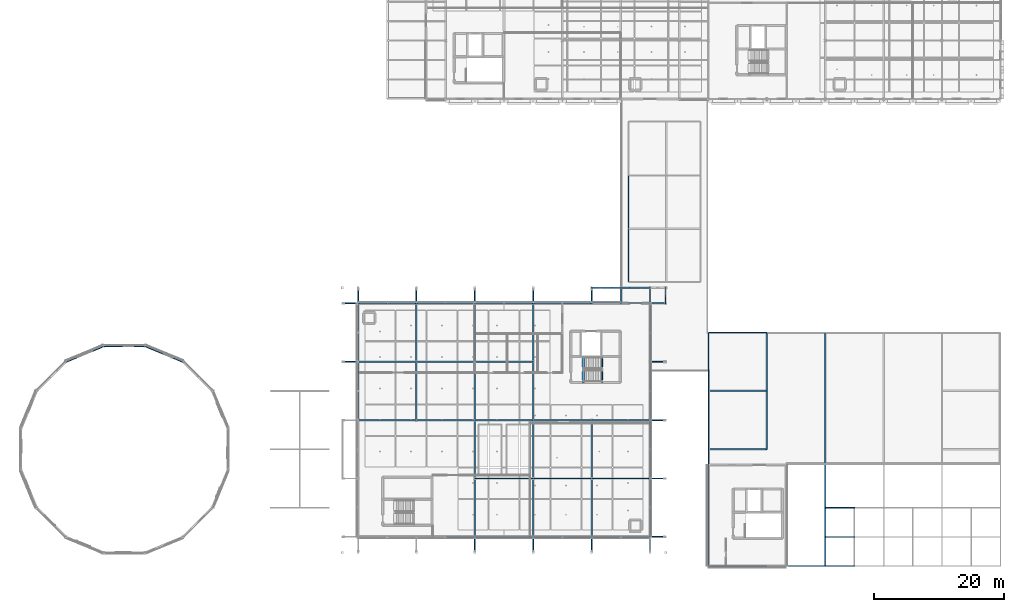
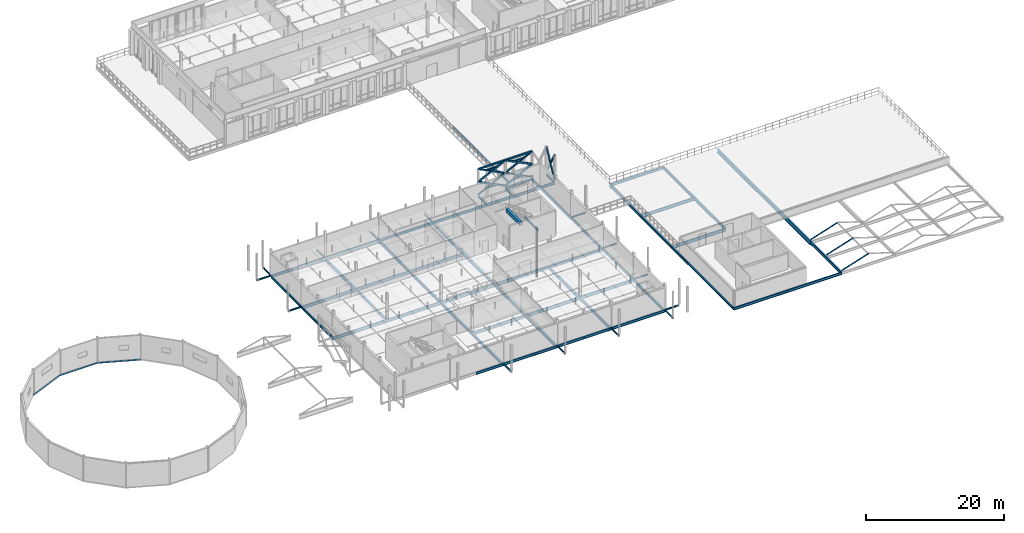
# One storey, part 20 of 89: 91 beams, 21 members.
"""IFC4 building model written with IfcOpenShell, lengths in metres."""

from ifc_helpers import new_model, si_unit, direction, frame, origin, origin_2d, place, context, subcontext, project, spatial, rectangle, hollow_rectangle, i_section, extrude, material, material_profile, profile_set, type_object, element, save


model = new_model("IFC4")

# Units and contexts
model_context = context("Model", 3, precision=1e-05, world=origin(), true_north=direction((0.0, 1.0)))
body_context = subcontext(model_context, "Body", "Model", "MODEL_VIEW")
ifc_project = project(units=[si_unit("LENGTHUNIT", "METRE"), si_unit("AREAUNIT", "SQUARE_METRE"), si_unit("VOLUMEUNIT", "CUBIC_METRE"), si_unit("PLANEANGLEUNIT", "RADIAN"), si_unit("MASSUNIT", "GRAM", prefix="KILO"), si_unit("THERMODYNAMICTEMPERATUREUNIT", "KELVIN"), si_unit("POWERUNIT", "WATT")], contexts=[model_context])

# Site, building, storey
site_placement = place(None, origin())
site = spatial("IfcSite", under=ifc_project, at=site_placement, CompositionType="ELEMENT")
building_placement = place(site_placement, origin())
building = spatial("IfcBuilding", under=site, at=building_placement, Name="Tallowbark Science Centre", CompositionType="ELEMENT")
storey_placement = place(building_placement, frame((0.0, 0.0, 14.39990234375)))
storey = spatial("IfcBuildingStorey", under=building, at=storey_placement, Name="L03", CompositionType="ELEMENT", Elevation=14.39990234375)

# Beams
ifc_material_1 = material(Name="Concrete Grade N40 (40 MPa)", Category="concrete")
ifc_material_profile_1 = material_profile(ifc_material_1, rectangle(XDim=0.449951171875, YDim=0.64990234375, at=origin_2d()), Name="RC450x650")
ifc_profile_set_1 = profile_set([ifc_material_profile_1], Name="Concrete Grade N40 (40 MPa)")
beam_type_1 = type_object("IfcBeamType", Name="BM-GB2-N40", PredefinedType="BEAM", material=ifc_profile_set_1)
beam_1_placement = place(storey_placement, frame((93.2099609375, 28.300048828125, 4.175048828125), z_axis=(0.0, 1.0, 0.0), x_axis=(-1.0, 0.0, 0.0)))
element("IfcBeam", 1, at=beam_1_placement, inside=storey, type_object=beam_type_1, Name="Stair ST-03 Landing Nosing Beam L03", PredefinedType="BEAM", context=body_context, shape_type="SweptSolid", body=[
    extrude(rectangle(XDim=0.449951171875, YDim=0.64990234375, at=origin_2d()), origin(), (0.0, 0.0, 1.0), 3.994873046875),
])
ifc_material_2 = material(Name="White Architectural Painted Steel Grade C350L0 (350 MPa)", Category="steel")
ifc_material_profile_2 = material_profile(ifc_material_2, i_section(OverallWidth=0.146484375, OverallDepth=0.256103515625, WebThickness=0.00634765625, FlangeThickness=0.010986328125, FilletRadius=0.0087890625, at=origin_2d()), Name="250UB37.3")
ifc_profile_set_2 = profile_set([ifc_material_profile_2], Name="White Architectural Painted Steel Grade C350L0 (350 MPa)")
beam_type_2 = type_object("IfcBeamType", Name="BM-OUT250", PredefinedType="BEAM", material=ifc_profile_set_2)
for number, where, z_axis, x_axis, name in (
    (2, (58.5, 40.5, -0.25), (0.0, 1.0, 0.0), (-1.0, 0.0, 0.0), "Star Screen Outrigger Tie Beam N-38"),
    (3, (67.5, 40.5, -0.25), (0.0, 1.0, 0.0), (-1.0, 0.0, 0.0), "Star Screen Outrigger Tie Beam N-40"),
    (4, (76.5, 4.5, -0.25), (0.0, -1.0, 0.0), (1.0, 0.0, 0.0), "Star Screen Outrigger Tie Beam S-41"),
    (5, (76.5, 40.5, -0.25), (0.0, 1.0, 0.0), (-1.0, 0.0, 0.0), "Star Screen Outrigger Tie Beam N-42"),
    (6, (85.5, 4.5, -0.25), (0.0, -1.0, 0.0), (1.0, 0.0, 0.0), "Star Screen Outrigger Tie Beam S-43"),
    (7, (85.5, 40.5, -0.25), (0.0, 1.0, 0.0), (-1.0, 0.0, 0.0), "Star Screen Outrigger Tie Beam N-44"),
    (8, (94.5, 4.5, -0.25), (0.0, -1.0, 0.0), (1.0, 0.0, 0.0), "Star Screen Outrigger Tie Beam S-45"),
    (9, (94.5, 40.5, -0.25), (0.0, 1.0, 0.0), (-1.0, 0.0, 0.0), "Star Screen Outrigger Tie Beam N-46"),
    (10, (103.5, 4.5, -0.25), (0.0, -1.0, 0.0), (1.0, 0.0, 0.0), "Star Screen Outrigger Tie Beam S-47"),
    (11, (103.5, 4.5, -0.25), (1.0, 0.0, 0.0), (0.0, 1.0, 0.0), "Star Screen Outrigger Tie Beam E-49"),
    (12, (103.5, 13.5, -0.25), (1.0, 0.0, 0.0), (0.0, 1.0, 0.0), "Star Screen Outrigger Tie Beam E-51"),
    (13, (103.5, 22.5, -0.25), (1.0, 0.0, 0.0), (0.0, 1.0, 0.0), "Star Screen Outrigger Tie Beam E-53"),
    (14, (58.5, 31.5, -0.25), (-1.0, 0.0, 0.0), (0.0, -1.0, 0.0), "Star Screen Outrigger Tie Beam W-54"),
    (15, (103.5, 31.5, -0.25), (1.0, 0.0, 0.0), (0.0, 1.0, 0.0), "Star Screen Outrigger Tie Beam E-55"),
    (16, (58.5, 40.5, -0.25), (-1.0, 0.0, 0.0), (0.0, -1.0, 0.0), "Star Screen Outrigger Tie Beam W-56"),
):
    element("IfcBeam", number, at=place(storey_placement, frame(where, z_axis=z_axis, x_axis=x_axis)), inside=storey, type_object=beam_type_2, Name=name, PredefinedType="BEAM", context=body_context, shape_type="SweptSolid", body=[
        extrude(i_section(OverallWidth=0.146484375, OverallDepth=0.256103515625, WebThickness=0.00634765625, FlangeThickness=0.010986328125, FilletRadius=0.0087890625, at=origin_2d()), origin(), (0.0, 0.0, 1.0), 2.39990234375),
    ])
ifc_material_3 = material(Name="Structural Steel Grade 300PLUS (300 MPa)", Category="steel")
ifc_material_profile_3 = material_profile(ifc_material_3, i_section(OverallWidth=0.177734375, OverallDepth=0.406494140625, WebThickness=0.0078125, FlangeThickness=0.0126953125, FilletRadius=0.011474609375, at=origin_2d()), Name="410UB59.7")
ifc_profile_set_3 = profile_set([ifc_material_profile_3], Name="Structural Steel Grade 300PLUS (300 MPa)")
beam_type_3 = type_object("IfcBeamType", Name="BM-UB410", PredefinedType="BEAM", material=ifc_profile_set_3)
beam_2_placement = place(storey_placement, frame((99.0, 42.89990234375, -0.447998046875), z_axis=(1.0, 0.0, 0.0), x_axis=(0.0, 1.0, 0.0)))
element("IfcBeam", 17, at=beam_2_placement, inside=storey, type_object=beam_type_3, Name="Primary Girder GRDX-L03-990-1035-429", PredefinedType="BEAM", context=body_context, shape_type="SweptSolid", body=[
    extrude(i_section(OverallWidth=0.177734375, OverallDepth=0.406494140625, WebThickness=0.0078125, FlangeThickness=0.0126953125, FilletRadius=0.011474609375, at=origin_2d()), origin(), (0.0, 0.0, 1.0), 4.5),
])
beam_3_placement = place(storey_placement, frame((99.0, 40.5, -0.447998046875), z_axis=(0.0, 1.0, 0.0), x_axis=(-1.0, 0.0, 0.0)))
element("IfcBeam", 18, at=beam_3_placement, inside=storey, type_object=beam_type_3, Name="Primary Girder GRDY-L03-990-405-429", PredefinedType="BEAM", context=body_context, shape_type="SweptSolid", body=[
    extrude(i_section(OverallWidth=0.177734375, OverallDepth=0.406494140625, WebThickness=0.0078125, FlangeThickness=0.0126953125, FilletRadius=0.011474609375, at=origin_2d()), origin(), (0.0, 0.0, 1.0), 2.39990234375),
])
for number, where, z_axis, x_axis, name in (
    (19, (100.199951171875, 43.800048828125, -0.447998046875), (0.0, 1.0, 0.0), (-1.0, 0.0, 0.0), "Primary Girder GRDY-L03-1002-438-520"),
    (20, (100.199951171875, 52.0, -0.447998046875), (0.0, 1.0, 0.0), (-1.0, 0.0, 0.0), "Primary Girder GRDY-L03-1002-520-602"),
):
    element("IfcBeam", number, at=place(storey_placement, frame(where, z_axis=z_axis, x_axis=x_axis)), inside=storey, type_object=beam_type_3, Name=name, PredefinedType="BEAM", context=body_context, shape_type="SweptSolid", body=[
        extrude(i_section(OverallWidth=0.177734375, OverallDepth=0.406494140625, WebThickness=0.0078125, FlangeThickness=0.0126953125, FilletRadius=0.011474609375, at=origin_2d()), origin(), (0.0, 0.0, 1.0), 8.199951171875),
    ])
beam_4_placement = place(storey_placement, frame((105.89990234375, 40.5, -0.447998046875), z_axis=(0.0, 1.0, 0.0), x_axis=(-1.0, 0.0, 0.0)))
element("IfcBeam", 21, at=beam_4_placement, inside=storey, type_object=beam_type_3, Name="Primary Girder GRDY-L03-1059-405-429", PredefinedType="BEAM", context=body_context, shape_type="SweptSolid", body=[
    extrude(i_section(OverallWidth=0.177734375, OverallDepth=0.406494140625, WebThickness=0.0078125, FlangeThickness=0.0126953125, FilletRadius=0.011474609375, at=origin_2d()), origin(), (0.0, 0.0, 1.0), 2.39990234375),
])
ifc_material_profile_4 = material_profile(ifc_material_3, i_section(OverallWidth=0.208984375, OverallDepth=0.532958984375, WebThickness=0.01025390625, FlangeThickness=0.015625, FilletRadius=0.013916015625, at=origin_2d()), Name="530UB92.4")
ifc_profile_set_4 = profile_set([ifc_material_profile_4], Name="Structural Steel Grade 300PLUS (300 MPa)")
beam_type_4 = type_object("IfcBeamType", Name="BM-UB530A", PredefinedType="BEAM", material=ifc_profile_set_4)
for number, where, z_axis, x_axis, name in (
    (22, (76.5, 13.5, -0.4462890625), (1.0, 0.0, 0.0), (0.0, 1.0, 0.0), "Primary Girder GRDX-L03-765-855-135"),
    (23, (85.5, 13.5, -0.4462890625), (1.0, 0.0, 0.0), (0.0, 1.0, 0.0), "Primary Girder GRDX-L03-855-945-135"),
    (24, (94.5, 13.5, -0.4462890625), (1.0, 0.0, 0.0), (0.0, 1.0, 0.0), "Primary Girder GRDX-L03-945-1035-135"),
    (25, (112.5, 18.0, -0.511474609375), (1.0, 0.0, 0.0), (0.0, 1.0, 0.0), "Primary Girder GRDX-L03-1125-1215-180"),
    (26, (58.5, 22.5, -0.4462890625), (1.0, 0.0, 0.0), (0.0, 1.0, 0.0), "Primary Girder GRDX-L03-585-675-225"),
    (27, (67.5, 22.5, -0.4462890625), (1.0, 0.0, 0.0), (0.0, 1.0, 0.0), "Primary Girder GRDX-L03-675-765-225"),
    (28, (76.5, 22.5, -0.4462890625), (1.0, 0.0, 0.0), (0.0, 1.0, 0.0), "Primary Girder GRDX-L03-765-855-225"),
    (29, (85.5, 22.5, -0.4462890625), (1.0, 0.0, 0.0), (0.0, 1.0, 0.0), "Primary Girder GRDX-L03-855-945-225"),
    (30, (94.5, 22.5, -0.4462890625), (1.0, 0.0, 0.0), (0.0, 1.0, 0.0), "Primary Girder GRDX-L03-945-1035-225"),
    (31, (112.5, 27.0, -0.511474609375), (1.0, 0.0, 0.0), (0.0, 1.0, 0.0), "Primary Girder GRDX-L03-1125-1215-270"),
    (32, (58.5, 31.5, -0.4462890625), (1.0, 0.0, 0.0), (0.0, 1.0, 0.0), "Primary Girder GRDX-L03-585-675-315"),
    (33, (67.5, 31.5, -0.4462890625), (1.0, 0.0, 0.0), (0.0, 1.0, 0.0), "Primary Girder GRDX-L03-675-765-315"),
    (34, (76.5, 31.5, -0.4462890625), (1.0, 0.0, 0.0), (0.0, 1.0, 0.0), "Primary Girder GRDX-L03-765-855-315"),
):
    element("IfcBeam", number, at=place(storey_placement, frame(where, z_axis=z_axis, x_axis=x_axis)), inside=storey, type_object=beam_type_4, Name=name, PredefinedType="BEAM", context=body_context, shape_type="SweptSolid", body=[
        extrude(i_section(OverallWidth=0.208984375, OverallDepth=0.532958984375, WebThickness=0.01025390625, FlangeThickness=0.015625, FilletRadius=0.013916015625, at=origin_2d()), origin(), (0.0, 0.0, 1.0), 9.0),
    ])
ifc_material_profile_5 = material_profile(ifc_material_3, i_section(OverallWidth=0.208740234375, OverallDepth=0.5283203125, WebThickness=0.009521484375, FlangeThickness=0.01318359375, FilletRadius=0.013916015625, at=origin_2d()), Name="530UB82.0")
ifc_profile_set_5 = profile_set([ifc_material_profile_5], Name="Structural Steel Grade 300PLUS (300 MPa)")
beam_type_5 = type_object("IfcBeamType", Name="BM-UB530B", PredefinedType="BEAM", material=ifc_profile_set_5)
for number, where, z_axis, x_axis, name in (
    (35, (67.5, 22.5, -0.444091796875), (0.0, 1.0, 0.0), (-1.0, 0.0, 0.0), "Primary Girder GRDY-L03-675-225-315"),
    (36, (67.5, 31.5, -0.444091796875), (0.0, 1.0, 0.0), (-1.0, 0.0, 0.0), "Primary Girder GRDY-L03-675-315-405"),
    (37, (76.5, 4.5, -0.444091796875), (0.0, 1.0, 0.0), (-1.0, 0.0, 0.0), "Primary Girder GRDY-L03-765-45-135"),
    (38, (76.5, 13.5, -0.444091796875), (0.0, 1.0, 0.0), (-1.0, 0.0, 0.0), "Primary Girder GRDY-L03-765-135-225"),
    (39, (76.5, 22.5, -0.444091796875), (0.0, 1.0, 0.0), (-1.0, 0.0, 0.0), "Primary Girder GRDY-L03-765-225-315"),
    (40, (76.5, 31.5, -0.444091796875), (0.0, 1.0, 0.0), (-1.0, 0.0, 0.0), "Primary Girder GRDY-L03-765-315-405"),
    (41, (85.5, 4.5, -0.444091796875), (0.0, 1.0, 0.0), (-1.0, 0.0, 0.0), "Primary Girder GRDY-L03-855-45-135"),
    (42, (85.5, 13.5, -0.444091796875), (0.0, 1.0, 0.0), (-1.0, 0.0, 0.0), "Primary Girder GRDY-L03-855-135-225"),
    (43, (85.5, 22.5, -0.444091796875), (0.0, 1.0, 0.0), (-1.0, 0.0, 0.0), "Primary Girder GRDY-L03-855-225-315"),
    (44, (85.5, 31.5, -0.444091796875), (0.0, 1.0, 0.0), (-1.0, 0.0, 0.0), "Primary Girder GRDY-L03-855-315-405"),
    (45, (94.5, 4.5, -0.444091796875), (0.0, 1.0, 0.0), (-1.0, 0.0, 0.0), "Primary Girder GRDY-L03-945-45-135"),
    (46, (94.5, 13.5, -0.444091796875), (0.0, 1.0, 0.0), (-1.0, 0.0, 0.0), "Primary Girder GRDY-L03-945-135-225"),
    (47, (121.5, 18.0, -0.509033203125), (0.0, 1.0, 0.0), (-1.0, 0.0, 0.0), "Primary Girder GRDY-L03-1215-180-270"),
    (48, (121.5, 27.0, -0.509033203125), (0.0, 1.0, 0.0), (-1.0, 0.0, 0.0), "Primary Girder GRDY-L03-1215-270-360"),
    (49, (130.5, 0.0, -0.509033203125), (0.0, 1.0, 0.0), (-1.0, 0.0, 0.0), "Primary Girder GRDY-L03-1305-0-90"),
):
    element("IfcBeam", number, at=place(storey_placement, frame(where, z_axis=z_axis, x_axis=x_axis)), inside=storey, type_object=beam_type_5, Name=name, PredefinedType="BEAM", context=body_context, shape_type="SweptSolid", body=[
        extrude(i_section(OverallWidth=0.208740234375, OverallDepth=0.5283203125, WebThickness=0.009521484375, FlangeThickness=0.01318359375, FilletRadius=0.013916015625, at=origin_2d()), origin(), (0.0, 0.0, 1.0), 9.0),
    ])
ifc_material_profile_6 = material_profile(ifc_material_3, i_section(OverallWidth=0.25, OverallDepth=0.699951171875, WebThickness=0.010009765625, FlangeThickness=0.02001953125, FilletRadius=0.013916015625, at=origin_2d()), Name="700WB130")
ifc_profile_set_6 = profile_set([ifc_material_profile_6], Name="Structural Steel Grade 300PLUS (300 MPa)")
beam_type_6 = type_object("IfcBeamType", Name="BM-WB700", PredefinedType="BEAM", material=ifc_profile_set_6)
beam_5_placement = place(storey_placement, frame((130.5, 9.0, -0.594970703125), z_axis=(0.0, 1.0, 0.0), x_axis=(-1.0, 0.0, 0.0)))
element("IfcBeam", 50, at=beam_5_placement, inside=storey, type_object=beam_type_6, Name="Primary Girder GRDY-L03-1305-90-360", PredefinedType="BEAM", context=body_context, shape_type="SweptSolid", body=[
    extrude(i_section(OverallWidth=0.25, OverallDepth=0.699951171875, WebThickness=0.010009765625, FlangeThickness=0.02001953125, FilletRadius=0.013916015625, at=origin_2d()), origin(), (0.0, 0.0, 1.0), 27.0),
])
ifc_material_profile_7 = material_profile(ifc_material_3, i_section(OverallWidth=0.146484375, OverallDepth=0.256103515625, WebThickness=0.00634765625, FlangeThickness=0.010986328125, FilletRadius=0.0087890625, at=origin_2d()), Name="250UB37.3")
ifc_profile_set_7 = profile_set([ifc_material_profile_7], Name="Structural Steel Grade 300PLUS (300 MPa)")
beam_type_7 = type_object("IfcBeamType", Name="JST-UB250", PredefinedType="JOIST", material=ifc_profile_set_7)
beam_6_placement = place(storey_placement, frame((96.125, 28.300048828125, 1.922119140625), z_axis=(0.0, 1.0, 0.0), x_axis=(-1.0, 0.0, 0.0)))
element("IfcBeam", 51, at=beam_6_placement, inside=storey, type_object=beam_type_7, Name="Stair ST-03 Half-Landing Trimmer L03", PredefinedType="JOIST", context=body_context, shape_type="SweptSolid", body=[
    extrude(i_section(OverallWidth=0.146484375, OverallDepth=0.256103515625, WebThickness=0.00634765625, FlangeThickness=0.010986328125, FilletRadius=0.0087890625, at=origin_2d()), origin(), (0.0, 0.0, 1.0), 3.994873046875),
])

# Members
ifc_material_4 = material(Name="Structural Steel Grade C350L0 (350 MPa)", Category="steel")
ifc_material_profile_8 = material_profile(ifc_material_4, hollow_rectangle(XDim=0.10009765625, YDim=0.199951171875, WallThickness=0.006103515625, at=origin_2d()), Name="200x100x6.0RHS")
ifc_profile_set_8 = profile_set([ifc_material_profile_8], Name="Structural Steel Grade C350L0 (350 MPa)")
member_type_1 = type_object("IfcMemberType", Name="RFT-200RHS", PredefinedType="RAFTER", material=ifc_profile_set_8)
for number, where, z_axis, x_axis, name in (
    (52, (130.5, 0.0, 0.0), (0.951796183957, 0.0, 0.306731192096), (0.0, 1.0, 0.0), "Theatre Shell Folded Rafter W 1-0"),
    (53, (130.5, 4.5, 0.0), (0.951796183957, 0.0, 0.306731192096), (0.0, 1.0, 0.0), "Theatre Shell Folded Rafter W 1-4.5"),
    (54, (130.5, 9.0, 0.0), (0.951796183957, 0.0, 0.306731192096), (0.0, 1.0, 0.0), "Theatre Shell Folded Rafter W 1-9"),
):
    element("IfcMember", number, at=place(storey_placement, frame(where, z_axis=z_axis, x_axis=x_axis)), inside=storey, type_object=member_type_1, Name=name, PredefinedType="RAFTER", context=body_context, shape_type="SweptSolid", body=[
        extrude(hollow_rectangle(XDim=0.10009765625, YDim=0.199951171875, WallThickness=0.006103515625, at=origin_2d()), origin(), (0.0, 0.0, 1.0), 4.727783203125),
    ])
ifc_material_profile_9 = material_profile(ifc_material_2, hollow_rectangle(XDim=0.25, YDim=0.25, WallThickness=0.009033203125, at=origin_2d()), Name="250x250x9.0SHS")
ifc_profile_set_9 = profile_set([ifc_material_profile_9], Name="White Architectural Painted Steel Grade C350L0 (350 MPa)")
member_type_2 = type_object("IfcMemberType", Name="SCR-CHD200", PredefinedType="CHORD", material=ifc_profile_set_9)
member_1_placement = place(storey_placement, frame((94.5, 42.89990234375, 4.5), z_axis=(1.0, 0.0, 0.0), x_axis=(0.0, 1.0, 0.0)))
element("IfcMember", 55, at=member_1_placement, inside=storey, type_object=member_type_2, Name="Star Screen Frame Chord N-27", PredefinedType="CHORD", context=body_context, shape_type="SweptSolid", body=[
    extrude(hollow_rectangle(XDim=0.25, YDim=0.25, WallThickness=0.009033203125, at=origin_2d()), origin(), (0.0, 0.0, 1.0), 9.0),
])
for number, where, z_axis, x_axis, name in (
    (56, (99.0, 42.89990234375, 0.0), (0.894427191, 0.0, 0.4472135955), (0.0, 1.0, 0.0), "Star Screen Octagram Diamond Chord N-27-1"),
    (57, (103.5, 42.89990234375, 2.25), (-0.894427191, 0.0, 0.4472135955), (0.0, -1.0, 0.0), "Star Screen Octagram Diamond Chord N-27-2"),
    (58, (99.0, 42.89990234375, 4.5), (-0.894427191, 0.0, -0.4472135955), (0.0, -1.0, 0.0), "Star Screen Octagram Diamond Chord N-27-3"),
    (59, (94.5, 42.89990234375, 2.25), (0.894427191, 0.0, -0.4472135955), (0.0, 1.0, 0.0), "Star Screen Octagram Diamond Chord N-27-4"),
):
    element("IfcMember", number, at=place(storey_placement, frame(where, z_axis=z_axis, x_axis=x_axis)), inside=storey, type_object=member_type_2, Name=name, PredefinedType="CHORD", context=body_context, shape_type="SweptSolid", body=[
        extrude(hollow_rectangle(XDim=0.25, YDim=0.25, WallThickness=0.009033203125, at=origin_2d()), origin(), (0.0, 0.0, 1.0), 5.03125),
    ])
ifc_material_profile_10 = material_profile(ifc_material_2, hollow_rectangle(XDim=0.199951171875, YDim=0.199951171875, WallThickness=0.009033203125, at=origin_2d()), Name="200x200x9.0SHS")
ifc_profile_set_10 = profile_set([ifc_material_profile_10], Name="White Architectural Painted Steel Grade C350L0 (350 MPa)")
member_type_3 = type_object("IfcMemberType", Name="SCR-STAR139", PredefinedType="BRACE", material=ifc_profile_set_10)
member_2_placement = place(storey_placement, frame((94.5, 42.89990234375, 0.0), z_axis=(0.894427191, 0.0, 0.4472135955), x_axis=(0.0, 1.0, 0.0)))
element("IfcMember", 60, at=member_2_placement, inside=storey, type_object=member_type_3, Name="Star Screen Continuous X-Diagonal D1A N-27", PredefinedType="BRACE", context=body_context, shape_type="SweptSolid", body=[
    extrude(hollow_rectangle(XDim=0.199951171875, YDim=0.199951171875, WallThickness=0.009033203125, at=origin_2d()), origin(), (0.0, 0.0, 1.0), 2.515625),
])
member_3_placement = place(storey_placement, frame((96.75, 42.89990234375, 1.125), z_axis=(0.894427191, 0.0, 0.4472135955), x_axis=(0.0, 1.0, 0.0)))
element("IfcMember", 61, at=member_3_placement, inside=storey, type_object=member_type_3, Name="Star Screen Continuous X-Diagonal D1M N-27", PredefinedType="BRACE", context=body_context, shape_type="SweptSolid", body=[
    extrude(hollow_rectangle(XDim=0.199951171875, YDim=0.199951171875, WallThickness=0.009033203125, at=origin_2d()), origin(), (0.0, 0.0, 1.0), 5.03125),
])
for number, where, z_axis, x_axis, name in (
    (62, (101.25, 42.89990234375, 3.375), (0.894427191, 0.0, 0.4472135955), (0.0, 1.0, 0.0), "Star Screen Continuous X-Diagonal D1B N-27"),
    (63, (94.5, 42.89990234375, 4.5), (0.894427191, 0.0, -0.4472135955), (0.0, 1.0, 0.0), "Star Screen Split X-Diagonal D2A N-27"),
    (64, (96.75, 42.89990234375, 3.375), (0.894427191, 0.0, -0.4472135955), (0.0, 1.0, 0.0), "Star Screen Split X-Diagonal D2B N-27"),
    (65, (99.0, 42.89990234375, 2.25), (0.894427191, 0.0, -0.4472135955), (0.0, 1.0, 0.0), "Star Screen Split X-Diagonal D2C N-27"),
    (66, (101.25, 42.89990234375, 1.125), (0.894427191, 0.0, -0.4472135955), (0.0, 1.0, 0.0), "Star Screen Split X-Diagonal D2D N-27"),
):
    element("IfcMember", number, at=place(storey_placement, frame(where, z_axis=z_axis, x_axis=x_axis)), inside=storey, type_object=member_type_3, Name=name, PredefinedType="BRACE", context=body_context, shape_type="SweptSolid", body=[
        extrude(hollow_rectangle(XDim=0.199951171875, YDim=0.199951171875, WallThickness=0.009033203125, at=origin_2d()), origin(), (0.0, 0.0, 1.0), 2.515625),
    ])
member_4_placement = place(storey_placement, frame((105.89990234375, 40.5, 0.0), z_axis=(0.0, 0.470573327259, 0.882360891967), x_axis=(-1.0, 0.0, 0.0)))
element("IfcMember", 67, at=member_4_placement, inside=storey, type_object=member_type_3, Name="Star Screen Corner Continuous Diagonal NEY-L03", PredefinedType="BRACE", context=body_context, shape_type="SweptSolid", body=[
    extrude(hollow_rectangle(XDim=0.199951171875, YDim=0.199951171875, WallThickness=0.009033203125, at=origin_2d()), origin(), (0.0, 0.0, 1.0), 5.099853515625),
])
member_5_placement = place(storey_placement, frame((105.89990234375, 41.699951171875, 2.25), z_axis=(0.0, -0.470573327259, 0.882360891967), x_axis=(1.0, 0.0, 0.0)))
element("IfcMember", 68, at=member_5_placement, inside=storey, type_object=member_type_3, Name="Star Screen Corner Split Diagonal B NEY-L03", PredefinedType="BRACE", context=body_context, shape_type="SweptSolid", body=[
    extrude(hollow_rectangle(XDim=0.199951171875, YDim=0.199951171875, WallThickness=0.009033203125, at=origin_2d()), origin(), (0.0, 0.0, 1.0), 2.550048828125),
])
ifc_material_profile_11 = material_profile(ifc_material_2, hollow_rectangle(XDim=0.199951171875, YDim=0.199951171875, WallThickness=0.009033203125, at=origin_2d()), Name="200x200x9.0SHS")
ifc_profile_set_11 = profile_set([ifc_material_profile_11], Name="White Architectural Painted Steel Grade C350L0 (350 MPa)")
member_type_4 = type_object("IfcMemberType", Name="SCR-SUB150", PredefinedType="BRACE", material=ifc_profile_set_11)
for number, where, z_axis, x_axis, name in (
    (69, (95.85009765625, 42.89990234375, 0.675048828125), (1.0, 0.0, 0.0), (0.0, 1.0, 0.0), "Star Screen Octagram Point Ray N-27-1"),
    (70, (102.14990234375, 42.89990234375, 0.675048828125), (-1.0, 0.0, 0.0), (0.0, -1.0, 0.0), "Star Screen Octagram Point Ray N-27-3"),
    (71, (102.14990234375, 42.89990234375, 3.8251953125), (-1.0, 0.0, 0.0), (0.0, -1.0, 0.0), "Star Screen Octagram Point Ray N-27-5"),
    (72, (95.85009765625, 42.89990234375, 3.8251953125), (1.0, 0.0, 0.0), (0.0, 1.0, 0.0), "Star Screen Octagram Point Ray N-27-7"),
):
    element("IfcMember", number, at=place(storey_placement, frame(where, z_axis=z_axis, x_axis=x_axis)), inside=storey, type_object=member_type_4, Name=name, PredefinedType="BRACE", context=body_context, shape_type="SweptSolid", body=[
        extrude(hollow_rectangle(XDim=0.199951171875, YDim=0.199951171875, WallThickness=0.009033203125, at=origin_2d()), origin(), (0.0, 0.0, 1.0), 1.7998046875),
    ])

# Beams
ifc_material_profile_12 = material_profile(ifc_material_2, hollow_rectangle(XDim=0.14990234375, YDim=0.25, WallThickness=0.009033203125, at=origin_2d()), Name="250x150x9.0RHS")
ifc_profile_set_12 = profile_set([ifc_material_profile_12], Name="White Architectural Painted Steel Grade C350L0 (350 MPa)")
beam_type_8 = type_object("IfcBeamType", Name="SPN-RHS250", PredefinedType="SPANDREL", material=ifc_profile_set_12)
beam_7_placement = place(storey_placement, frame((31.500244140625, 31.4697265625, -0.125), z_axis=(-0.92387937427, 0.382683814393, 0.0), x_axis=(-0.382683814393, -0.92387937427, 0.0)))
element("IfcBeam", 73, at=beam_7_placement, inside=storey, type_object=beam_type_8, Name="Planetarium Ring Beam L03-3", PredefinedType="SPANDREL", context=body_context, shape_type="SweptSolid", body=[
    extrude(hollow_rectangle(XDim=0.14990234375, YDim=0.25, WallThickness=0.009033203125, at=origin_2d()), origin(), (0.0, 0.0, 1.0), 6.321044921875),
])
beam_8_placement = place(storey_placement, frame((25.660400390625, 33.888671875, -0.125), z_axis=(-1.0, 0.0, 0.0), x_axis=(0.0, -1.0, 0.0)))
element("IfcBeam", 74, at=beam_8_placement, inside=storey, type_object=beam_type_8, Name="Planetarium Ring Beam L03-4", PredefinedType="SPANDREL", context=body_context, shape_type="SweptSolid", body=[
    extrude(hollow_rectangle(XDim=0.14990234375, YDim=0.25, WallThickness=0.009033203125, at=origin_2d()), origin(), (0.0, 0.0, 1.0), 6.32080078125),
])
beam_9_placement = place(storey_placement, frame((19.339599609375, 33.888671875, -0.125), z_axis=(-0.92387937427, -0.382683814393, 0.0), x_axis=(0.382683814393, -0.92387937427, 0.0)))
element("IfcBeam", 75, at=beam_9_placement, inside=storey, type_object=beam_type_8, Name="Planetarium Ring Beam L03-5", PredefinedType="SPANDREL", context=body_context, shape_type="SweptSolid", body=[
    extrude(hollow_rectangle(XDim=0.14990234375, YDim=0.25, WallThickness=0.009033203125, at=origin_2d()), origin(), (0.0, 0.0, 1.0), 6.321044921875),
])
ifc_material_profile_13 = material_profile(ifc_material_3, i_section(OverallWidth=0.18994140625, OverallDepth=0.453857421875, WebThickness=0.008544921875, FlangeThickness=0.0126953125, FilletRadius=0.011474609375, at=origin_2d()), Name="460UB67.1")
ifc_profile_set_13 = profile_set([ifc_material_profile_13], Name="Structural Steel Grade 300PLUS (300 MPa)")
beam_type_9 = type_object("IfcBeamType", Name="SPN-UB460", PredefinedType="SPANDREL", material=ifc_profile_set_13)
for number, where, z_axis, x_axis, name in (
    (76, (112.5, 0.0, -0.471923828125), (1.0, 0.0, 0.0), (0.0, 1.0, 0.0), "Primary Girder GRDX-L03-1125-1215-0"),
    (77, (121.5, 0.0, -0.471923828125), (1.0, 0.0, 0.0), (0.0, 1.0, 0.0), "Primary Girder GRDX-L03-1215-1305-0"),
):
    element("IfcBeam", number, at=place(storey_placement, frame(where, z_axis=z_axis, x_axis=x_axis)), inside=storey, type_object=beam_type_9, Name=name, PredefinedType="SPANDREL", context=body_context, shape_type="SweptSolid", body=[
        extrude(i_section(OverallWidth=0.18994140625, OverallDepth=0.453857421875, WebThickness=0.008544921875, FlangeThickness=0.0126953125, FilletRadius=0.011474609375, at=origin_2d()), origin(), (0.0, 0.0, 1.0), 9.0),
    ])
beam_10_placement = place(storey_placement, frame((72.0, 4.5, -0.40673828125), z_axis=(1.0, 0.0, 0.0), x_axis=(0.0, 1.0, 0.0)))
element("IfcBeam", 78, at=beam_10_placement, inside=storey, type_object=beam_type_9, Name="Primary Girder GRDX-L03-720-765-45", PredefinedType="SPANDREL", context=body_context, shape_type="SweptSolid", body=[
    extrude(i_section(OverallWidth=0.18994140625, OverallDepth=0.453857421875, WebThickness=0.008544921875, FlangeThickness=0.0126953125, FilletRadius=0.011474609375, at=origin_2d()), origin(), (0.0, 0.0, 1.0), 4.5),
])
beam_11_placement = place(storey_placement, frame((76.5, 4.5, -0.40673828125), z_axis=(1.0, 0.0, 0.0), x_axis=(0.0, 1.0, 0.0)))
element("IfcBeam", 79, at=beam_11_placement, inside=storey, type_object=beam_type_9, Name="Primary Girder GRDX-L03-765-855-45", PredefinedType="SPANDREL", context=body_context, shape_type="SweptSolid", body=[
    extrude(i_section(OverallWidth=0.18994140625, OverallDepth=0.453857421875, WebThickness=0.008544921875, FlangeThickness=0.0126953125, FilletRadius=0.011474609375, at=origin_2d()), origin(), (0.0, 0.0, 1.0), 9.0),
])
for number, where, z_axis, x_axis, name in (
    (80, (85.5, 4.5, -0.40673828125), (1.0, 0.0, 0.0), (0.0, 1.0, 0.0), "Primary Girder GRDX-L03-855-900-45"),
    (81, (90.0, 4.5, -0.40673828125), (1.0, 0.0, 0.0), (0.0, 1.0, 0.0), "Primary Girder GRDX-L03-900-945-45"),
    (82, (94.5, 4.5, -0.40673828125), (1.0, 0.0, 0.0), (0.0, 1.0, 0.0), "Primary Girder GRDX-L03-945-990-45"),
    (83, (99.0, 4.5, -0.40673828125), (1.0, 0.0, 0.0), (0.0, 1.0, 0.0), "Primary Girder GRDX-L03-990-1035-45"),
):
    element("IfcBeam", number, at=place(storey_placement, frame(where, z_axis=z_axis, x_axis=x_axis)), inside=storey, type_object=beam_type_9, Name=name, PredefinedType="SPANDREL", context=body_context, shape_type="SweptSolid", body=[
        extrude(i_section(OverallWidth=0.18994140625, OverallDepth=0.453857421875, WebThickness=0.008544921875, FlangeThickness=0.0126953125, FilletRadius=0.011474609375, at=origin_2d()), origin(), (0.0, 0.0, 1.0), 4.5),
    ])
beam_12_placement = place(storey_placement, frame((112.5, 36.0, -0.471923828125), z_axis=(1.0, 0.0, 0.0), x_axis=(0.0, 1.0, 0.0)))
element("IfcBeam", 84, at=beam_12_placement, inside=storey, type_object=beam_type_9, Name="Primary Girder GRDX-L03-1125-1215-360", PredefinedType="SPANDREL", context=body_context, shape_type="SweptSolid", body=[
    extrude(i_section(OverallWidth=0.18994140625, OverallDepth=0.453857421875, WebThickness=0.008544921875, FlangeThickness=0.0126953125, FilletRadius=0.011474609375, at=origin_2d()), origin(), (0.0, 0.0, 1.0), 9.0),
])
for number, where, z_axis, x_axis, name in (
    (85, (58.5, 40.5, -0.40673828125), (1.0, 0.0, 0.0), (0.0, 1.0, 0.0), "Primary Girder GRDX-L03-585-630-405"),
    (86, (63.0, 40.5, -0.40673828125), (1.0, 0.0, 0.0), (0.0, 1.0, 0.0), "Primary Girder GRDX-L03-630-675-405"),
    (87, (67.5, 40.5, -0.40673828125), (1.0, 0.0, 0.0), (0.0, 1.0, 0.0), "Primary Girder GRDX-L03-675-720-405"),
    (88, (72.0, 40.5, -0.40673828125), (1.0, 0.0, 0.0), (0.0, 1.0, 0.0), "Primary Girder GRDX-L03-720-765-405"),
    (89, (76.5, 40.5, -0.40673828125), (1.0, 0.0, 0.0), (0.0, 1.0, 0.0), "Primary Girder GRDX-L03-765-810-405"),
    (90, (81.0, 40.5, -0.40673828125), (1.0, 0.0, 0.0), (0.0, 1.0, 0.0), "Primary Girder GRDX-L03-810-855-405"),
    (91, (85.5, 40.5, -0.40673828125), (1.0, 0.0, 0.0), (0.0, 1.0, 0.0), "Primary Girder GRDX-L03-855-900-405"),
    (92, (90.0, 40.5, -0.40673828125), (1.0, 0.0, 0.0), (0.0, 1.0, 0.0), "Primary Girder GRDX-L03-900-945-405"),
    (93, (94.5, 40.5, -0.40673828125), (1.0, 0.0, 0.0), (0.0, 1.0, 0.0), "Primary Girder GRDX-L03-945-990-405"),
    (94, (99.0, 40.5, -0.471923828125), (1.0, 0.0, 0.0), (0.0, 1.0, 0.0), "Primary Girder GRDX-L03-990-1035-405"),
):
    element("IfcBeam", number, at=place(storey_placement, frame(where, z_axis=z_axis, x_axis=x_axis)), inside=storey, type_object=beam_type_9, Name=name, PredefinedType="SPANDREL", context=body_context, shape_type="SweptSolid", body=[
        extrude(i_section(OverallWidth=0.18994140625, OverallDepth=0.453857421875, WebThickness=0.008544921875, FlangeThickness=0.0126953125, FilletRadius=0.011474609375, at=origin_2d()), origin(), (0.0, 0.0, 1.0), 4.5),
    ])
beam_13_placement = place(storey_placement, frame((103.5, 40.5, -0.471923828125), z_axis=(1.0, 0.0, 0.0), x_axis=(0.0, 1.0, 0.0)))
element("IfcBeam", 95, at=beam_13_placement, inside=storey, type_object=beam_type_9, Name="Primary Girder GRDX-L03-1035-1059-405", PredefinedType="SPANDREL", context=body_context, shape_type="SweptSolid", body=[
    extrude(i_section(OverallWidth=0.18994140625, OverallDepth=0.453857421875, WebThickness=0.008544921875, FlangeThickness=0.0126953125, FilletRadius=0.011474609375, at=origin_2d()), origin(), (0.0, 0.0, 1.0), 2.39990234375),
])
for number, where, z_axis, x_axis, name in (
    (96, (58.5, 22.5, -0.40673828125), (0.0, 1.0, 0.0), (-1.0, 0.0, 0.0), "Primary Girder GRDY-L03-585-225-270"),
    (97, (58.5, 27.0, -0.40673828125), (0.0, 1.0, 0.0), (-1.0, 0.0, 0.0), "Primary Girder GRDY-L03-585-270-315"),
    (98, (58.5, 31.5, -0.40673828125), (0.0, 1.0, 0.0), (-1.0, 0.0, 0.0), "Primary Girder GRDY-L03-585-315-360"),
    (99, (58.5, 36.0, -0.40673828125), (0.0, 1.0, 0.0), (-1.0, 0.0, 0.0), "Primary Girder GRDY-L03-585-360-405"),
    (100, (103.5, 4.5, -0.40673828125), (0.0, 1.0, 0.0), (-1.0, 0.0, 0.0), "Primary Girder GRDY-L03-1035-45-90"),
    (101, (103.5, 9.0, -0.40673828125), (0.0, 1.0, 0.0), (-1.0, 0.0, 0.0), "Primary Girder GRDY-L03-1035-90-135"),
    (102, (103.5, 13.5, -0.40673828125), (0.0, 1.0, 0.0), (-1.0, 0.0, 0.0), "Primary Girder GRDY-L03-1035-135-180"),
    (103, (103.5, 18.0, -0.40673828125), (0.0, 1.0, 0.0), (-1.0, 0.0, 0.0), "Primary Girder GRDY-L03-1035-180-225"),
    (104, (103.5, 22.5, -0.40673828125), (0.0, 1.0, 0.0), (-1.0, 0.0, 0.0), "Primary Girder GRDY-L03-1035-225-270"),
    (105, (103.5, 27.0, -0.40673828125), (0.0, 1.0, 0.0), (-1.0, 0.0, 0.0), "Primary Girder GRDY-L03-1035-270-315"),
    (106, (103.5, 31.5, -0.471923828125), (0.0, 1.0, 0.0), (-1.0, 0.0, 0.0), "Primary Girder GRDY-L03-1035-315-360"),
    (107, (103.5, 36.0, -0.471923828125), (0.0, 1.0, 0.0), (-1.0, 0.0, 0.0), "Primary Girder GRDY-L03-1035-360-405"),
):
    element("IfcBeam", number, at=place(storey_placement, frame(where, z_axis=z_axis, x_axis=x_axis)), inside=storey, type_object=beam_type_9, Name=name, PredefinedType="SPANDREL", context=body_context, shape_type="SweptSolid", body=[
        extrude(i_section(OverallWidth=0.18994140625, OverallDepth=0.453857421875, WebThickness=0.008544921875, FlangeThickness=0.0126953125, FilletRadius=0.011474609375, at=origin_2d()), origin(), (0.0, 0.0, 1.0), 4.5),
    ])
beam_14_placement = place(storey_placement, frame((103.5, 40.5, -0.471923828125), z_axis=(0.0, 1.0, 0.0), x_axis=(-1.0, 0.0, 0.0)))
element("IfcBeam", 108, at=beam_14_placement, inside=storey, type_object=beam_type_9, Name="Primary Girder GRDY-L03-1035-405-429", PredefinedType="SPANDREL", context=body_context, shape_type="SweptSolid", body=[
    extrude(i_section(OverallWidth=0.18994140625, OverallDepth=0.453857421875, WebThickness=0.008544921875, FlangeThickness=0.0126953125, FilletRadius=0.011474609375, at=origin_2d()), origin(), (0.0, 0.0, 1.0), 2.39990234375),
])
for number, where, z_axis, x_axis, name in (
    (109, (112.5, 0.0, -0.471923828125), (0.0, 1.0, 0.0), (-1.0, 0.0, 0.0), "Primary Girder GRDY-L03-1125-0-90"),
    (110, (112.5, 9.0, -0.471923828125), (0.0, 1.0, 0.0), (-1.0, 0.0, 0.0), "Primary Girder GRDY-L03-1125-90-180"),
    (111, (112.5, 18.0, -0.471923828125), (0.0, 1.0, 0.0), (-1.0, 0.0, 0.0), "Primary Girder GRDY-L03-1125-180-270"),
    (112, (112.5, 27.0, -0.471923828125), (0.0, 1.0, 0.0), (-1.0, 0.0, 0.0), "Primary Girder GRDY-L03-1125-270-360"),
):
    element("IfcBeam", number, at=place(storey_placement, frame(where, z_axis=z_axis, x_axis=x_axis)), inside=storey, type_object=beam_type_9, Name=name, PredefinedType="SPANDREL", context=body_context, shape_type="SweptSolid", body=[
        extrude(i_section(OverallWidth=0.18994140625, OverallDepth=0.453857421875, WebThickness=0.008544921875, FlangeThickness=0.0126953125, FilletRadius=0.011474609375, at=origin_2d()), origin(), (0.0, 0.0, 1.0), 9.0),
    ])

save(model, "model.ifc")
